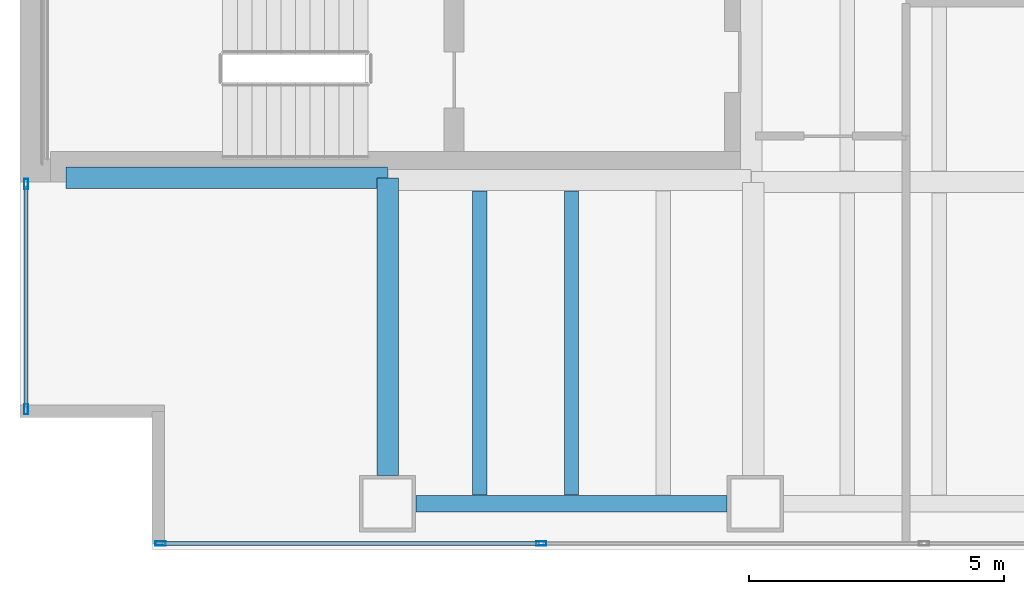
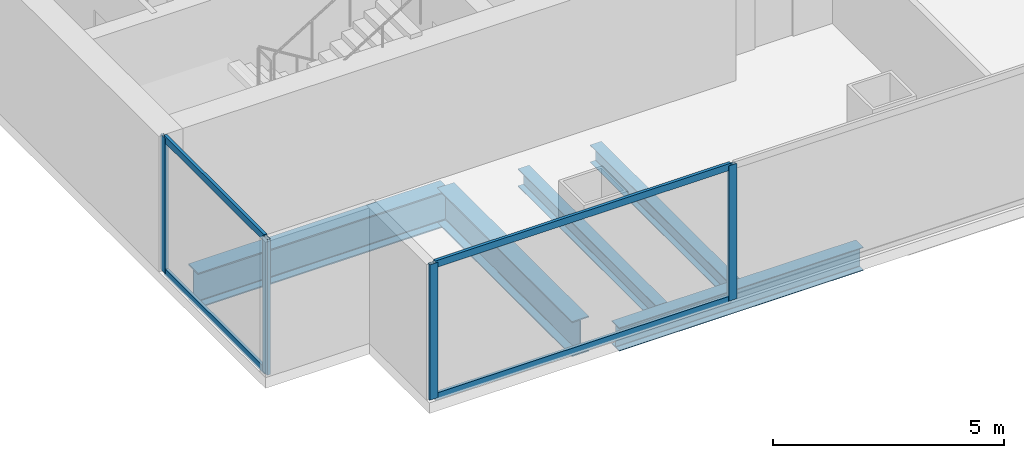
# One storey, part 2 of 23: 8 members, 5 beams, 2 elements without a shape of their own.
"""IFC4 building model written with IfcOpenShell, lengths in metres."""

from ifc_helpers import new_model, si_unit, direction, frame, origin, origin_2d, place, context, subcontext, project, spatial, hollow_rectangle, i_section, extrude, material, material_profile, profile_set, type_object, element, aggregate, save


model = new_model("IFC4")

# Units and contexts
model_context = context("Model", 3, precision=1e-05, world=origin(), true_north=direction((0.0, 1.0)))
body_context = subcontext(model_context, "Body", "Model", "MODEL_VIEW")
ifc_project = project(units=[si_unit("LENGTHUNIT", "METRE"), si_unit("AREAUNIT", "SQUARE_METRE"), si_unit("VOLUMEUNIT", "CUBIC_METRE"), si_unit("PLANEANGLEUNIT", "RADIAN"), si_unit("MASSUNIT", "GRAM", prefix="KILO")], contexts=[model_context])

# Site, building, storey
site_placement = place(None, origin())
site = spatial("IfcSite", under=ifc_project, at=site_placement, CompositionType="ELEMENT")
building_placement = place(site_placement, origin())
building = spatial("IfcBuilding", under=site, at=building_placement, Name="Cobrela Telecom Tower", CompositionType="ELEMENT")
storey_placement = place(building_placement, frame((0.0, 0.0, 38.85009765625)))
storey = spatial("IfcBuildingStorey", under=building, at=storey_placement, Name="L09", CompositionType="ELEMENT", Elevation=38.85009765625)

# Beams
ifc_material_1 = material(Name="Steel ASTM A992 Grade 50", Category="steel")
ifc_material_profile_1 = material_profile(ifc_material_1, i_section(OverallWidth=0.4189453125, OverallDepth=0.927001953125, WebThickness=0.019287109375, FlangeThickness=0.031982421875, FilletRadius=0.02392578125, at=origin_2d()), Name="W36X231")
ifc_profile_set_1 = profile_set([ifc_material_profile_1], Name="Steel ASTM A992 Grade 50")
beam_type_1 = type_object("IfcBeamType", Name="BM-GIRD-02", PredefinedType="USERDEFINED", material=ifc_profile_set_1)
beam_1_placement = place(storey_placement, frame((0.905029296875, 7.280029296875, -0.74365234375), z_axis=(1.0, 0.0, 0.0), x_axis=(0.0, 1.0, 0.0)))
element("IfcBeam", 1, at=beam_1_placement, inside=storey, type_object=beam_type_1, Name="L09 Primary Girder X06", ObjectType="GIRDER", PredefinedType="USERDEFINED", context=body_context, shape_type="SweptSolid", body=[
    extrude(i_section(OverallWidth=0.4189453125, OverallDepth=0.927001953125, WebThickness=0.019287109375, FlangeThickness=0.031982421875, FilletRadius=0.02392578125, at=origin_2d()), origin(), (0.0, 0.0, 1.0), 6.2900390625),
])
beam_2_placement = place(storey_placement, frame((7.199951171875, 1.455078125, -0.74365234375), z_axis=(0.0, 1.0, 0.0), x_axis=(-1.0, 0.0, 0.0)))
element("IfcBeam", 2, at=beam_2_placement, inside=storey, type_object=beam_type_1, Name="L09 Primary Girder Y32", ObjectType="GIRDER", PredefinedType="USERDEFINED", context=body_context, shape_type="SweptSolid", body=[
    extrude(i_section(OverallWidth=0.4189453125, OverallDepth=0.927001953125, WebThickness=0.019287109375, FlangeThickness=0.031982421875, FilletRadius=0.02392578125, at=origin_2d()), origin(), (0.0, 0.0, 1.0), 5.81982421875),
])
ifc_material_profile_2 = material_profile(ifc_material_1, i_section(OverallWidth=0.281982421875, OverallDepth=0.467041015625, WebThickness=0.01220703125, FlangeThickness=0.01953125, FilletRadius=0.012939453125, at=origin_2d()), Name="W18X86")
ifc_profile_set_2 = profile_set([ifc_material_profile_2], Name="Steel ASTM A992 Grade 50")
beam_type_2 = type_object("IfcBeamType", Name="BM-JOIST-02", PredefinedType="JOIST", material=ifc_profile_set_2)
for number, where, z_axis, x_axis, name in (
    (3, (9.0, 1.0673828125, -0.513671875), (0.0, 1.0, 0.0), (-1.0, 0.0, 0.0), "L09 Secondary Composite Floor Beam J01"),
    (4, (10.800048828125, 1.0673828125, -0.513671875), (0.0, 1.0, 0.0), (-1.0, 0.0, 0.0), "L09 Secondary Composite Floor Beam J03"),
):
    element("IfcBeam", number, at=place(storey_placement, frame(where, z_axis=z_axis, x_axis=x_axis)), inside=storey, type_object=beam_type_2, Name=name, PredefinedType="JOIST", context=body_context, shape_type="SweptSolid", body=[
        extrude(i_section(OverallWidth=0.281982421875, OverallDepth=0.467041015625, WebThickness=0.01220703125, FlangeThickness=0.01953125, FilletRadius=0.012939453125, at=origin_2d()), origin(), (0.0, 0.0, 1.0), 5.9580078125),
    ])
ifc_material_profile_3 = material_profile(ifc_material_1, i_section(OverallWidth=0.324951171875, OverallDepth=0.612060546875, WebThickness=0.0126953125, FlangeThickness=0.01904296875, FilletRadius=0.014892578125, at=origin_2d()), Name="W24X104")
ifc_profile_set_3 = profile_set([ifc_material_profile_3], Name="Steel ASTM A992 Grade 50")
beam_type_3 = type_object("IfcBeamType", Name="BM-SPAND-02", PredefinedType="SPANDREL", material=ifc_profile_set_3)
beam_3_placement = place(storey_placement, frame((7.7548828125, 0.89990234375, -0.586181640625), z_axis=(1.0, 0.0, 0.0), x_axis=(0.0, 1.0, 0.0)))
element("IfcBeam", 5, at=beam_3_placement, inside=storey, type_object=beam_type_3, Name="L09 Perimeter Spandrel X01", PredefinedType="SPANDREL", context=body_context, shape_type="SweptSolid", body=[
    extrude(i_section(OverallWidth=0.324951171875, OverallDepth=0.612060546875, WebThickness=0.0126953125, FlangeThickness=0.01904296875, FilletRadius=0.014892578125, at=origin_2d()), origin(), (0.0, 0.0, 1.0), 6.090087890625),
])

# Curtain wall, members
ifc_material_2 = material(Name="Anodized Bronze Aluminium 6063-T6", Category="aluminium")
curtain_wall_type = type_object("IfcCurtainWallType", Name="CW-SYS-DATA", PredefinedType="USERDEFINED", material=ifc_material_2)
curtain_wall_1_placement = place(storey_placement, origin())
curtain_wall_1 = element("IfcCurtainWall", 6, at=curtain_wall_1_placement, inside=storey, type_object=curtain_wall_type, Name="L09 Unitised Bronze Curtain Wall 03", ObjectType="UNITISED CURTAIN WALL", PredefinedType="USERDEFINED")
ifc_material_profile_4 = material_profile(ifc_material_2, hollow_rectangle(XDim=0.080078125, YDim=0.199951171875, WallThickness=0.00390625, at=origin_2d()), Name="ALU 80x200x4")
ifc_profile_set_4 = profile_set([ifc_material_profile_4], Name="Anodized Bronze Aluminium 6063-T6")
member_type_1 = type_object("IfcMemberType", Name="CW-SYS-DATA-MUL", PredefinedType="MULLION", material=ifc_profile_set_4)
member_1_placement = place(storey_placement, frame((0.1201171875, 2.75, 0.0), z_axis=(0.0, 0.0, 1.0), x_axis=(-1.0, 0.0, 0.0)))
member_1 = element("IfcMember", 7, at=member_1_placement, type_object=member_type_1, Name="CW-DATA mullion 1", PredefinedType="MULLION", context=body_context, shape_type="SweptSolid", body=[
    extrude(hollow_rectangle(XDim=0.080078125, YDim=0.199951171875, WallThickness=0.00390625, at=origin_2d()), origin(), (0.0, 0.0, 1.0), 3.56982421875),
])
member_2_placement = place(storey_placement, frame((0.1201171875, 7.159912109375, 0.0), z_axis=(0.0, 0.0, 1.0), x_axis=(-1.0, 0.0, 0.0)))
member_2 = element("IfcMember", 8, at=member_2_placement, type_object=member_type_1, Name="CW-DATA mullion 2", PredefinedType="MULLION", context=body_context, shape_type="SweptSolid", body=[
    extrude(hollow_rectangle(XDim=0.080078125, YDim=0.199951171875, WallThickness=0.00390625, at=origin_2d()), origin(), (0.0, 0.0, 1.0), 3.56982421875),
])

curtain_wall_2_placement = place(storey_placement, origin())
curtain_wall_2 = element("IfcCurtainWall", 9, at=curtain_wall_2_placement, inside=storey, type_object=curtain_wall_type, Name="L09 Unitised Bronze Curtain Wall 17", ObjectType="UNITISED CURTAIN WALL", PredefinedType="USERDEFINED")
member_3_placement = place(storey_placement, frame((10.206787109375, 0.1201171875, 0.0), z_axis=(0.0, 0.0, 1.0), x_axis=(0.0, -1.0, 0.0)))
member_3 = element("IfcMember", 10, at=member_3_placement, type_object=member_type_1, Name="CW-DATA mullion 6", PredefinedType="MULLION", context=body_context, shape_type="SweptSolid", body=[
    extrude(hollow_rectangle(XDim=0.080078125, YDim=0.199951171875, WallThickness=0.00390625, at=origin_2d()), origin(), (0.0, 0.0, 1.0), 3.56982421875),
])
member_4_placement = place(storey_placement, frame((2.75, 0.1201171875, 0.0), z_axis=(0.0, 0.0, 1.0), x_axis=(0.0, -1.0, 0.0)))
member_4 = element("IfcMember", 11, at=member_4_placement, type_object=member_type_1, Name="CW-DATA mullion 7", PredefinedType="MULLION", context=body_context, shape_type="SweptSolid", body=[
    extrude(hollow_rectangle(XDim=0.080078125, YDim=0.199951171875, WallThickness=0.00390625, at=origin_2d()), origin(), (0.0, 0.0, 1.0), 3.56982421875),
])

# Member
ifc_material_profile_5 = material_profile(ifc_material_2, hollow_rectangle(XDim=0.074951171875, YDim=0.179931640625, WallThickness=0.00390625, at=origin_2d()), Name="ALU 75x180x4")
ifc_profile_set_5 = profile_set([ifc_material_profile_5], Name="Anodized Bronze Aluminium 6063-T6")
member_type_2 = type_object("IfcMemberType", Name="CW-SYS-DATA-TRN", PredefinedType="USERDEFINED", material=ifc_profile_set_5)
member_5_placement = place(storey_placement, frame((0.1201171875, 2.7900390625, 0.037353515625), z_axis=(0.0, 1.0, 0.0), x_axis=(-1.0, 0.0, 0.0)))
member_5 = element("IfcMember", 12, at=member_5_placement, type_object=member_type_2, Name="CW-DATA transom 1.1", ObjectType="TRANSOM", PredefinedType="USERDEFINED", context=body_context, shape_type="SweptSolid", body=[
    extrude(hollow_rectangle(XDim=0.074951171875, YDim=0.179931640625, WallThickness=0.00390625, at=origin_2d()), origin(), (0.0, 0.0, 1.0), 4.330078125),
])

member_6_placement = place(storey_placement, frame((0.1201171875, 2.7900390625, 3.532470703125), z_axis=(0.0, 1.0, 0.0), x_axis=(-1.0, 0.0, 0.0)))
member_6 = element("IfcMember", 13, at=member_6_placement, type_object=member_type_2, Name="CW-DATA transom 1.2", ObjectType="TRANSOM", PredefinedType="USERDEFINED", context=body_context, shape_type="SweptSolid", body=[
    extrude(hollow_rectangle(XDim=0.074951171875, YDim=0.179931640625, WallThickness=0.00390625, at=origin_2d()), origin(), (0.0, 0.0, 1.0), 4.330078125),
])

aggregate(curtain_wall_1, [member_1, member_2, member_5, member_6])

member_7_placement = place(storey_placement, frame((10.166748046875, 0.1201171875, 0.037353515625), z_axis=(-1.0, 0.0, 0.0), x_axis=(0.0, -1.0, 0.0)))
member_7 = element("IfcMember", 14, at=member_7_placement, type_object=member_type_2, Name="CW-DATA transom 6.1", ObjectType="TRANSOM", PredefinedType="USERDEFINED", context=body_context, shape_type="SweptSolid", body=[
    extrude(hollow_rectangle(XDim=0.074951171875, YDim=0.179931640625, WallThickness=0.00390625, at=origin_2d()), origin(), (0.0, 0.0, 1.0), 7.376708984375),
])

member_8_placement = place(storey_placement, frame((10.166748046875, 0.1201171875, 3.532470703125), z_axis=(-1.0, 0.0, 0.0), x_axis=(0.0, -1.0, 0.0)))
member_8 = element("IfcMember", 15, at=member_8_placement, type_object=member_type_2, Name="CW-DATA transom 6.2", ObjectType="TRANSOM", PredefinedType="USERDEFINED", context=body_context, shape_type="SweptSolid", body=[
    extrude(hollow_rectangle(XDim=0.074951171875, YDim=0.179931640625, WallThickness=0.00390625, at=origin_2d()), origin(), (0.0, 0.0, 1.0), 7.376708984375),
])

aggregate(curtain_wall_2, [member_3, member_4, member_7, member_8])

save(model, "model.ifc")
